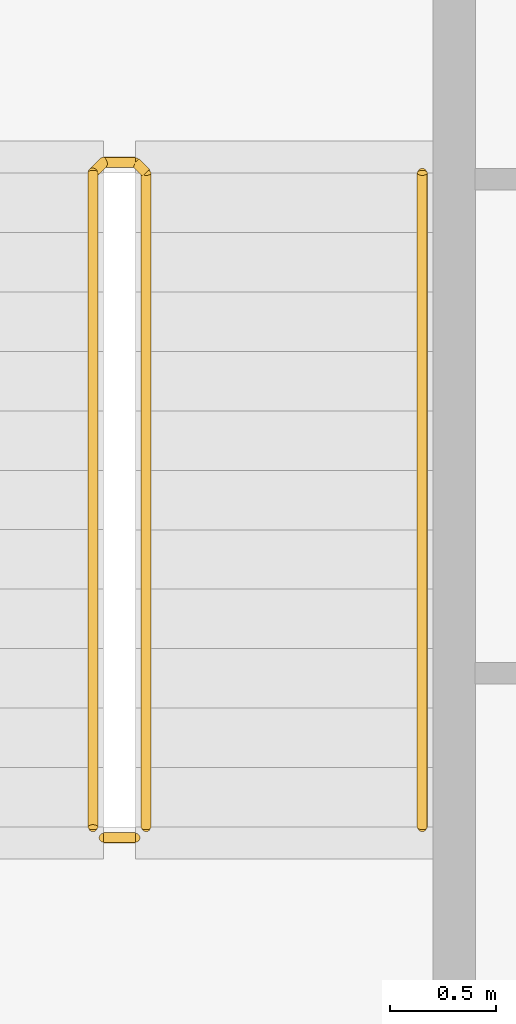
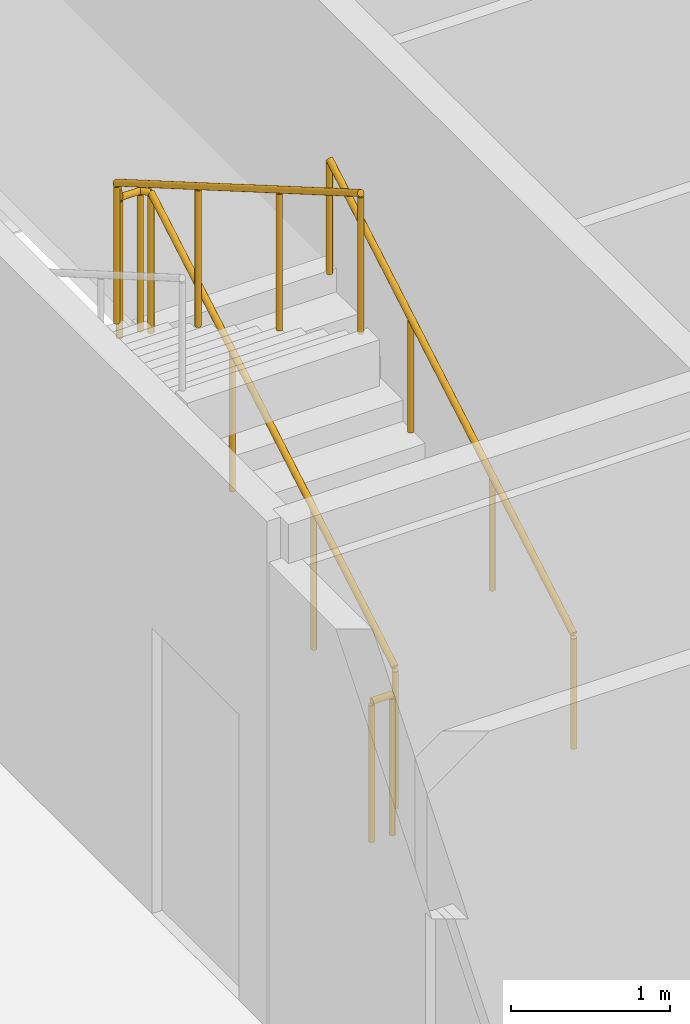
# One storey, part 26 of 27: 3 railings.
"""IFC4 building model written with IfcOpenShell, lengths in metres."""

from ifc_helpers import new_model, si_unit, direction, frame, origin, origin_2d, place, context, subcontext, project, spatial, circle, extrude, material, type_object, element, save


model = new_model("IFC4")

# Units and contexts
model_context = context("Model", 3, precision=1e-05, world=origin(), true_north=direction((0.0, 1.0)))
body_context = subcontext(model_context, "Body", "Model", "MODEL_VIEW")
ifc_project = project(units=[si_unit("LENGTHUNIT", "METRE"), si_unit("AREAUNIT", "SQUARE_METRE"), si_unit("VOLUMEUNIT", "CUBIC_METRE"), si_unit("PLANEANGLEUNIT", "RADIAN"), si_unit("MASSUNIT", "GRAM", prefix="KILO")], contexts=[model_context])

# Site, building, storey
site_placement = place(None, origin())
site = spatial("IfcSite", under=ifc_project, at=site_placement, CompositionType="ELEMENT")
building_placement = place(site_placement, origin())
building = spatial("IfcBuilding", under=site, at=building_placement, Name="Kheshtan School and Residences Tower", CompositionType="ELEMENT")
storey_placement = place(building_placement, frame((0.0, 0.0, 53.89990234375)))
storey = spatial("IfcBuildingStorey", under=building, at=storey_placement, Name="L12", CompositionType="ELEMENT", Elevation=53.89990234375)

# Railings
ifc_material_1 = material(Name="Stainless steel balustrade", Category="steel")
railing_type_1 = type_object("IfcRailingType", Name="Stair guard 1100", PredefinedType="GUARDRAIL", material=ifc_material_1)
railing_1_placement = place(storey_placement, frame((35.0, 80.89990234375, 0.16259765625)))
element("IfcRailing", 1, at=railing_1_placement, inside=storey, type_object=railing_type_1, Name="L12 ST3 stair guard 1", PredefinedType="GUARDRAIL", context=body_context, shape_type="SweptSolid", body=[
    extrude(circle(Radius=0.02392578125, at=origin_2d()), frame((0.0, 0.0, 1.076171875), z_axis=(0.0, 0.864890721111, 0.501960198159), x_axis=(-1.0, 0.0, 0.0)), (0.0, 0.0, 1.0), 3.561279296875),
    extrude(circle(Radius=0.02392578125, at=origin_2d()), frame((0.0, 3.080078125, 2.86376953125), z_axis=(-0.707106781187, 0.707106781187, 0.0), x_axis=(-0.707106781187, -0.707106781187, 0.0)), (0.0, 0.0, 1.0), 0.07080078125),
    extrude(circle(Radius=0.02392578125, at=origin_2d()), frame((-0.050048828125, 3.130126953125, 2.86376953125), z_axis=(-1.0, 0.0, 0.0), x_axis=(0.0, -1.0, 0.0)), (0.0, 0.0, 1.0), 0.14990234375),
    extrude(circle(Radius=0.02392578125, at=origin_2d()), frame((-0.199951171875, 3.130126953125, 2.86376953125), z_axis=(-0.282583949758, -0.282583949758, 0.916674763849), x_axis=(0.707106781187, -0.707106781187, 0.0)), (0.0, 0.0, 1.0), 0.177001953125),
    extrude(circle(Radius=0.02392578125, at=origin_2d()), frame((-0.25, 3.080078125, 3.02587890625), z_axis=(0.0, -0.864890721111, 0.501960198159), x_axis=(1.0, 0.0, 0.0)), (0.0, 0.0, 1.0), 3.561279296875),
    extrude(circle(Radius=0.02099609375, at=origin_2d()), origin(), (0.0, 0.0, 1.0), 1.052001953125),
    extrude(circle(Radius=0.02099609375, at=origin_2d()), frame((0.0, 1.026611328125, 0.595947265625)), (0.0, 0.0, 1.0), 1.052001953125),
    extrude(circle(Radius=0.02099609375, at=origin_2d()), frame((0.0, 2.053466796875, 1.191650390625)), (0.0, 0.0, 1.0), 1.052001953125),
    extrude(circle(Radius=0.02099609375, at=origin_2d()), frame((0.0, 3.080078125, 1.78759765625)), (0.0, 0.0, 1.0), 1.052001953125),
    extrude(circle(Radius=0.02099609375, at=origin_2d()), frame((-0.050048828125, 3.130126953125, 1.78759765625)), (0.0, 0.0, 1.0), 1.052001953125),
    extrude(circle(Radius=0.02099609375, at=origin_2d()), frame((-0.199951171875, 3.130126953125, 1.78759765625)), (0.0, 0.0, 1.0), 1.052001953125),
    extrude(circle(Radius=0.02099609375, at=origin_2d()), frame((-0.25, 3.080078125, 1.949951171875)), (0.0, 0.0, 1.0), 1.052001953125),
    extrude(circle(Radius=0.02099609375, at=origin_2d()), frame((-0.25, 2.053466796875, 2.5458984375)), (0.0, 0.0, 1.0), 1.052001953125),
    extrude(circle(Radius=0.02099609375, at=origin_2d()), frame((-0.25, 1.026611328125, 3.1416015625)), (0.0, 0.0, 1.0), 1.052001953125),
    extrude(circle(Radius=0.02099609375, at=origin_2d()), frame((-0.25, 0.0, 3.737548828125)), (0.0, 0.0, 1.0), 1.052001953125),
])
railing_2_placement = place(storey_placement, frame((34.949951171875, 80.85009765625, 0.0)))
element("IfcRailing", 2, at=railing_2_placement, inside=storey, type_object=railing_type_1, Name="L12 ST3 stair guard 2", PredefinedType="GUARDRAIL", context=body_context, shape_type="SweptSolid", body=[
    extrude(circle(Radius=0.02392578125, at=origin_2d()), frame((0.0, 0.0, 1.076171875), z_axis=(-1.0, 0.0, 0.0), x_axis=(0.0, -1.0, 0.0)), (0.0, 0.0, 1.0), 0.14990234375),
    extrude(circle(Radius=0.02099609375, at=origin_2d()), origin(), (0.0, 0.0, 1.0), 1.052001953125),
    extrude(circle(Radius=0.02099609375, at=origin_2d()), frame((-0.14990234375, 0.0, 0.0)), (0.0, 0.0, 1.0), 1.052001953125),
])
ifc_material_2 = material(Name="Stainless steel handrail", Category="steel")
railing_type_2 = type_object("IfcRailingType", Name="Stair handrail 900", PredefinedType="HANDRAIL", material=ifc_material_2)
railing_3_placement = place(storey_placement, frame((36.300048828125, 80.89990234375, 0.16259765625)))
element("IfcRailing", 3, at=railing_3_placement, inside=storey, type_object=railing_type_2, Name="L12 ST3 stair handrail 1", PredefinedType="HANDRAIL", context=body_context, shape_type="SweptSolid", body=[
    extrude(circle(Radius=0.02392578125, at=origin_2d()), frame((0.0, 0.0, 0.8759765625), z_axis=(0.0, 0.864890721111, 0.501960198159), x_axis=(-1.0, 0.0, 0.0)), (0.0, 0.0, 1.0), 3.561279296875),
    extrude(circle(Radius=0.02099609375, at=origin_2d()), origin(), (0.0, 0.0, 1.0), 0.851806640625),
    extrude(circle(Radius=0.02099609375, at=origin_2d()), frame((0.0, 1.026611328125, 0.595947265625)), (0.0, 0.0, 1.0), 0.851806640625),
    extrude(circle(Radius=0.02099609375, at=origin_2d()), frame((0.0, 2.053466796875, 1.191650390625)), (0.0, 0.0, 1.0), 0.851806640625),
    extrude(circle(Radius=0.02099609375, at=origin_2d()), frame((0.0, 3.080078125, 1.78759765625)), (0.0, 0.0, 1.0), 0.851806640625),
])

save(model, "model.ifc")
